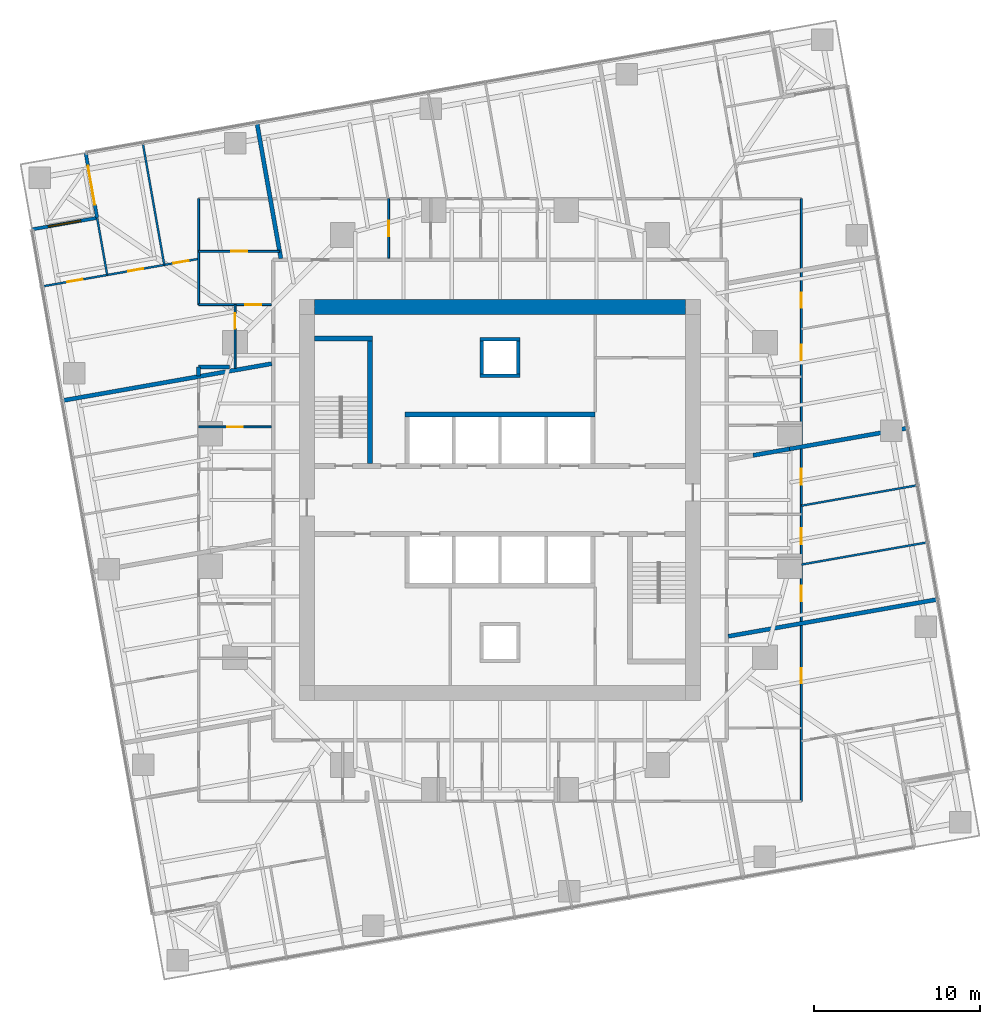
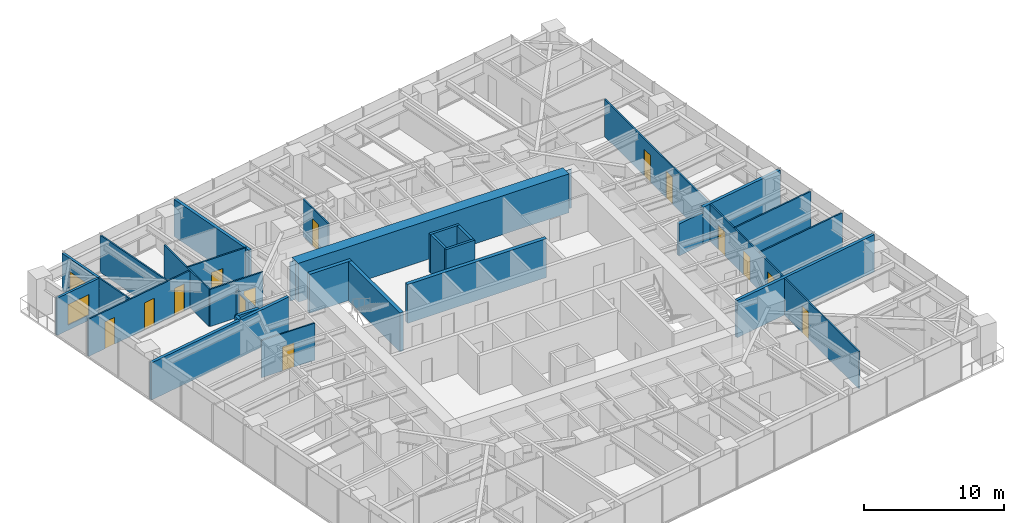
# One storey, part 11 of 14: 29 walls, 15 doors, 1 window, 16 openings.
"""IFC4 building model written with IfcOpenShell, lengths in metres."""

from ifc_helpers import new_model, si_unit, direction, frame, frame_2d, origin, place, context, subcontext, project, spatial, polyline, rectangle, outline, extrude, material, layer, layer_set, type_object, element, fill, save


model = new_model("IFC4")

# Units and contexts
model_context = context("Model", 3, precision=1e-05, world=origin(), true_north=direction((0.0, 1.0)))
body_context = subcontext(model_context, "Body", "Model", "MODEL_VIEW")
ifc_project = project(units=[si_unit("LENGTHUNIT", "METRE"), si_unit("AREAUNIT", "SQUARE_METRE"), si_unit("VOLUMEUNIT", "CUBIC_METRE"), si_unit("PLANEANGLEUNIT", "RADIAN"), si_unit("MASSUNIT", "GRAM", prefix="KILO")], contexts=[model_context])

# Site, building, storey
site_placement = place(None, origin())
site = spatial("IfcSite", under=ifc_project, at=site_placement, CompositionType="ELEMENT")
building_placement = place(site_placement, origin())
building = spatial("IfcBuilding", under=site, at=building_placement, Name="Torsade Residences", CompositionType="ELEMENT")
storey_placement = place(building_placement, frame((0.0, 0.0, 99.800048828125)))
storey = spatial("IfcBuildingStorey", under=building, at=storey_placement, Name="L27", CompositionType="ELEMENT", Elevation=99.800048828125)

# Walls
ifc_material_1 = material(Name="Concrete 80 MPa", Category="concrete")
ifc_layer_1 = layer(ifc_material_1, 0.300048828125)
ifc_layer_set_1 = layer_set([ifc_layer_1], Name="Concrete 80 MPa")
wall_type_1 = type_object("IfcWallType", Name="CORE INTERNAL WALL 300", PredefinedType="SHEAR", material=ifc_layer_set_1)
wall_1_placement = place(storey_placement, frame((34.25, 35.14990234375, 0.0), z_axis=(0.0, 0.0, 1.0), x_axis=(1.0, 0.0, 0.0)))
element("IfcWall", 1, at=wall_1_placement, inside=storey, type_object=wall_type_1, Name="Core wall BN L27", PredefinedType="SHEAR", context=body_context, shape_type="SweptSolid", body=[
    extrude(rectangle(XDim=11.5, YDim=0.300048828125, at=frame_2d((5.75, 0.0))), origin(), (0.0, 0.0, 1.0), 3.39990234375),
])
wall_2_placement = place(storey_placement, frame((32.14990234375, 32.199951171875, 0.0), z_axis=(0.0, 0.0, 1.0), x_axis=(0.0, 1.0, 0.0)))
element("IfcWall", 2, at=wall_2_placement, inside=storey, type_object=wall_type_1, Name="Core wall ST1E L27", PredefinedType="SHEAR", context=body_context, shape_type="SweptSolid", body=[
    extrude(rectangle(XDim=7.699951171875, YDim=0.300048828125, at=frame_2d((3.85009765625, 0.0))), origin(), (0.0, 0.0, 1.0), 3.39990234375),
])
wall_3_placement = place(storey_placement, frame((28.800048828125, 39.75, 0.0), z_axis=(0.0, 0.0, 1.0), x_axis=(1.0, 0.0, 0.0)))
element("IfcWall", 3, at=wall_3_placement, inside=storey, type_object=wall_type_1, Name="Core wall ST1N L27", PredefinedType="SHEAR", context=body_context, shape_type="SweptSolid", body=[
    extrude(rectangle(XDim=3.5, YDim=0.300048828125, at=frame_2d((1.75, 0.0))), origin(), (0.0, 0.0, 1.0), 3.39990234375),
])
ifc_material_2 = material(Name="Concrete 80 MPa", Category="concrete")
ifc_layer_2 = layer(ifc_material_2, 0.89990234375)
ifc_layer_set_2 = layer_set([ifc_layer_2], Name="Concrete 80 MPa")
wall_type_2 = type_object("IfcWallType", Name="CORE WALL 900", PredefinedType="SHEAR", material=ifc_layer_set_2)
wall_4_placement = place(storey_placement, frame((28.800048828125, 41.64990234375, 0.0), z_axis=(0.0, 0.0, 1.0), x_axis=(1.0, 0.0, 0.0)))
element("IfcWall", 4, at=wall_4_placement, inside=storey, type_object=wall_type_2, Name="Core wall N L27", PredefinedType="SHEAR", context=body_context, shape_type="SweptSolid", body=[
    extrude(outline(polyline([(0.0, -0.449951171875), (22.39990234375, -0.449951171875), (22.39990234375, -0.02490234375), (22.849853515625, -0.02490234375), (22.849853515625, 0.02490234375), (22.39990234375, 0.02490234375), (22.39990234375, 0.449951171875), (0.0, 0.449951171875), (0.0, 0.02490234375), (-0.449951171875, 0.02490234375), (-0.449951171875, -0.02490234375), (0.0, -0.02490234375), (0.0, -0.449951171875)])), origin(), (0.0, 0.0, 1.0), 3.39990234375),
])

# Wall, openings, doors
ifc_material_3 = material(Name="Plasterboard on steel stud", Category="steel")
ifc_layer_3 = layer(ifc_material_3, 0.1201171875)
ifc_layer_set_3 = layer_set([ifc_layer_3], Name="Plasterboard on steel stud")
wall_type_3 = type_object("IfcWallType", Name="PARTITION 120", PredefinedType="PARTITIONING", material=ifc_layer_set_3)
wall_5_placement = place(storey_placement, frame((58.199951171875, 48.199951171875, 0.0), z_axis=(0.0, 0.0, 1.0), x_axis=(0.0, -1.0, 0.0)))
wall_5 = element("IfcWall", 5, at=wall_5_placement, inside=storey, type_object=wall_type_3, Name="Partition L27", PredefinedType="PARTITIONING", context=body_context, shape_type="SweptSolid", body=[
    extrude(rectangle(XDim=36.39990234375, YDim=0.1201171875, at=frame_2d((18.199951171875, 0.0))), origin(), (0.0, 0.0, 1.0), 3.25),
])
opening_1_placement = place(wall_5_placement, frame((5.671142578125, 0.0, 0.0)))
opening_1 = element("IfcOpeningElement", 6, at=opening_1_placement, cuts=wall_5, Name="Opening D02", PredefinedType="OPENING", context=body_context, shape_type="SweptSolid", body=[
    extrude(rectangle(XDim=0.919921875, YDim=2.340087890625, at=frame_2d((0.4599609375, 1.169921875))), frame((0.0, 0.070068359375, 0.0), z_axis=(0.0, -1.0, 0.0), x_axis=(1.0, 0.0, 0.0)), (0.0, 0.0, 1.0), 0.14013671875),
])
opening_2_placement = place(wall_5_placement, frame((8.829833984375, 0.0, 0.0)))
opening_2 = element("IfcOpeningElement", 7, at=opening_2_placement, cuts=wall_5, Name="Opening D02", PredefinedType="OPENING", context=body_context, shape_type="SweptSolid", body=[
    extrude(rectangle(XDim=0.919921875, YDim=2.340087890625, at=frame_2d((0.4599609375, 1.169921875))), frame((0.0, 0.070068359375, 0.0), z_axis=(0.0, -1.0, 0.0), x_axis=(1.0, 0.0, 0.0)), (0.0, 0.0, 1.0), 0.14013671875),
])
opening_3_placement = place(wall_5_placement, frame((28.350341796875, 0.0, 0.0)))
opening_3 = element("IfcOpeningElement", 8, at=opening_3_placement, cuts=wall_5, Name="Opening D02", PredefinedType="OPENING", context=body_context, shape_type="SweptSolid", body=[
    extrude(rectangle(XDim=0.919921875, YDim=2.340087890625, at=frame_2d((0.4599609375, 1.169921875))), frame((0.0, 0.070068359375, 0.0), z_axis=(0.0, -1.0, 0.0), x_axis=(1.0, 0.0, 0.0)), (0.0, 0.0, 1.0), 0.14013671875),
])
opening_4_placement = place(wall_5_placement, frame((23.390380859375, 0.0, 0.0)))
opening_4 = element("IfcOpeningElement", 9, at=opening_4_placement, cuts=wall_5, Name="Opening D02", PredefinedType="OPENING", context=body_context, shape_type="SweptSolid", body=[
    extrude(rectangle(XDim=0.919921875, YDim=2.340087890625, at=frame_2d((0.4599609375, 1.169921875))), frame((0.0, 0.070068359375, 0.0), z_axis=(0.0, -1.0, 0.0), x_axis=(1.0, 0.0, 0.0)), (0.0, 0.0, 1.0), 0.14013671875),
])
opening_5_placement = place(wall_5_placement, frame((19.91845703125, 0.0, 0.0)))
opening_5 = element("IfcOpeningElement", 10, at=opening_5_placement, cuts=wall_5, Name="Opening D05", PredefinedType="OPENING", context=body_context, shape_type="SweptSolid", body=[
    extrude(rectangle(XDim=0.9599609375, YDim=2.10009765625, at=frame_2d((0.47998046875, 1.050048828125))), frame((0.0, 0.070068359375, 0.0), z_axis=(0.0, -1.0, 0.0), x_axis=(1.0, 0.0, 0.0)), (0.0, 0.0, 1.0), 0.14013671875),
])
opening_6_placement = place(wall_5_placement, frame((16.313232421875, 0.0, 0.0)))
opening_6 = element("IfcOpeningElement", 11, at=opening_6_placement, cuts=wall_5, Name="Opening D05", PredefinedType="OPENING", context=body_context, shape_type="SweptSolid", body=[
    extrude(rectangle(XDim=0.9599609375, YDim=2.10009765625, at=frame_2d((0.47998046875, 1.050048828125))), frame((0.0, 0.070068359375, 0.0), z_axis=(0.0, -1.0, 0.0), x_axis=(1.0, 0.0, 0.0)), (0.0, 0.0, 1.0), 0.14013671875),
])
ifc_material_4 = material(Name="Hollow-core timber door in a steel cavity frame", Category="steel")
door_type_1 = type_object("IfcDoorType", Name="BATHROOM CAVITY SLIDING DOOR 960", OperationType="SLIDING_TO_LEFT", PredefinedType="DOOR", material=ifc_material_4)
door_1_placement = place(opening_5_placement, origin())
door_1 = element("IfcDoor", 12, at=door_1_placement, inside=storey, type_object=door_type_1, Name="Door Ensuite to Bedroom 1", OperationType="SLIDING_TO_LEFT", OverallHeight=2.10009765625, OverallWidth=0.9599609375, PredefinedType="DOOR", context=body_context, shape_type="SweptSolid", body=[
    extrude(rectangle(XDim=0.9599609375, YDim=2.10009765625, at=frame_2d((0.47998046875, 1.050048828125))), frame((0.0, 0.02490234375, 0.0), z_axis=(0.0, -1.0, 0.0), x_axis=(1.0, 0.0, 0.0)), (0.0, 0.0, 1.0), 0.050048828125),
])
fill(opening_5, door_1)
door_2_placement = place(opening_6_placement, origin())
door_2 = element("IfcDoor", 13, at=door_2_placement, inside=storey, type_object=door_type_1, Name="Door Bathroom to Bedroom 2", OperationType="SLIDING_TO_LEFT", OverallHeight=2.10009765625, OverallWidth=0.9599609375, PredefinedType="DOOR", context=body_context, shape_type="SweptSolid", body=[
    extrude(rectangle(XDim=0.9599609375, YDim=2.10009765625, at=frame_2d((0.47998046875, 1.050048828125))), frame((0.0, 0.02490234375, 0.0), z_axis=(0.0, -1.0, 0.0), x_axis=(1.0, 0.0, 0.0)), (0.0, 0.0, 1.0), 0.050048828125),
])
fill(opening_6, door_2)
ifc_material_5 = material(Name="Hollow-core timber door", Category="wood")
door_type_2 = type_object("IfcDoorType", Name="INTERNAL DOOR 920x2340", OperationType="NOTDEFINED", PredefinedType="DOOR", material=ifc_material_5)
door_3_placement = place(opening_1_placement, origin())
door_3 = element("IfcDoor", 14, at=door_3_placement, inside=storey, type_object=door_type_2, Name="Door Kitchen and dining to Bedroom 1", OperationType="SINGLE_SWING_RIGHT", OverallHeight=2.340087890625, OverallWidth=0.919921875, PredefinedType="DOOR", context=body_context, shape_type="SweptSolid", body=[
    extrude(rectangle(XDim=0.919921875, YDim=2.340087890625, at=frame_2d((0.4599609375, 1.169921875))), frame((0.0, 0.02490234375, 0.0), z_axis=(0.0, -1.0, 0.0), x_axis=(1.0, 0.0, 0.0)), (0.0, 0.0, 1.0), 0.050048828125),
])
fill(opening_1, door_3)
door_4_placement = place(opening_2_placement, origin())
door_4 = element("IfcDoor", 15, at=door_4_placement, inside=storey, type_object=door_type_2, Name="Door Kitchen and dining to Living room", OperationType="SINGLE_SWING_LEFT", OverallHeight=2.340087890625, OverallWidth=0.919921875, PredefinedType="DOOR", context=body_context, shape_type="SweptSolid", body=[
    extrude(rectangle(XDim=0.919921875, YDim=2.340087890625, at=frame_2d((0.4599609375, 1.169921875))), frame((0.0, 0.02490234375, 0.0), z_axis=(0.0, -1.0, 0.0), x_axis=(1.0, 0.0, 0.0)), (0.0, 0.0, 1.0), 0.050048828125),
])
fill(opening_2, door_4)
door_5_placement = place(opening_3_placement, origin())
door_5 = element("IfcDoor", 16, at=door_5_placement, inside=storey, type_object=door_type_2, Name="Door Kitchen and dining to Living room", OperationType="SINGLE_SWING_LEFT", OverallHeight=2.340087890625, OverallWidth=0.919921875, PredefinedType="DOOR", context=body_context, shape_type="SweptSolid", body=[
    extrude(rectangle(XDim=0.919921875, YDim=2.340087890625, at=frame_2d((0.4599609375, 1.169921875))), frame((0.0, 0.02490234375, 0.0), z_axis=(0.0, -1.0, 0.0), x_axis=(1.0, 0.0, 0.0)), (0.0, 0.0, 1.0), 0.050048828125),
])
fill(opening_3, door_5)
door_6_placement = place(opening_4_placement, origin())
door_6 = element("IfcDoor", 17, at=door_6_placement, inside=storey, type_object=door_type_2, Name="Door Kitchen and dining to Living room", OperationType="SINGLE_SWING_RIGHT", OverallHeight=2.340087890625, OverallWidth=0.919921875, PredefinedType="DOOR", context=body_context, shape_type="SweptSolid", body=[
    extrude(rectangle(XDim=0.919921875, YDim=2.340087890625, at=frame_2d((0.4599609375, 1.169921875))), frame((0.0, 0.02490234375, 0.0), z_axis=(0.0, -1.0, 0.0), x_axis=(1.0, 0.0, 0.0)), (0.0, 0.0, 1.0), 0.050048828125),
])
fill(opening_4, door_6)

# Walls
wall_6_placement = place(storey_placement, frame((58.199951171875, 26.10107421875, 0.0), z_axis=(0.0, 0.0, 1.0), x_axis=(0.984804581119, 0.173666165406, 0.0)))
element("IfcWall", 18, at=wall_6_placement, inside=storey, type_object=wall_type_3, Name="Partition L27", PredefinedType="PARTITIONING", context=body_context, shape_type="SweptSolid", body=[
    extrude(rectangle(XDim=7.713623046875, YDim=0.1201171875, at=frame_2d((3.85693359375, 0.0))), origin(), (0.0, 0.0, 1.0), 3.25),
])
wall_7_placement = place(storey_placement, frame((58.199951171875, 29.6552734375, 0.0), z_axis=(0.0, 0.0, 1.0), x_axis=(0.984809869921, 0.17363617165, 0.0)))
element("IfcWall", 19, at=wall_7_placement, inside=storey, type_object=wall_type_3, Name="Partition L27", PredefinedType="PARTITIONING", context=body_context, shape_type="SweptSolid", body=[
    extrude(rectangle(XDim=7.096435546875, YDim=0.1201171875, at=frame_2d((3.54833984375, 0.0))), origin(), (0.0, 0.0, 1.0), 3.25),
])

# Wall, opening, door
wall_8_placement = place(storey_placement, frame((33.2734375, 48.199951171875, 0.0), z_axis=(0.0, 0.0, 1.0), x_axis=(0.0, -1.0, 0.0)))
wall_8 = element("IfcWall", 20, at=wall_8_placement, inside=storey, type_object=wall_type_3, Name="Partition L27", PredefinedType="PARTITIONING", context=body_context, shape_type="SweptSolid", body=[
    extrude(rectangle(XDim=3.599853515625, YDim=0.1201171875, at=frame_2d((1.7998046875, 0.0))), origin(), (0.0, 0.0, 1.0), 3.25),
])
opening_7_placement = place(wall_8_placement, frame((1.340087890625, 0.0, 0.0)))
opening_7 = element("IfcOpeningElement", 21, at=opening_7_placement, cuts=wall_8, Name="Opening D02", PredefinedType="OPENING", context=body_context, shape_type="SweptSolid", body=[
    extrude(rectangle(XDim=0.919921875, YDim=2.340087890625, at=frame_2d((0.4599609375, 1.169921875))), frame((0.0, 0.070068359375, 0.0), z_axis=(0.0, -1.0, 0.0), x_axis=(1.0, 0.0, 0.0)), (0.0, 0.0, 1.0), 0.14013671875),
])
door_7_placement = place(opening_7_placement, origin())
door_7 = element("IfcDoor", 22, at=door_7_placement, inside=storey, type_object=door_type_2, Name="Door Kitchen and dining to Study", OperationType="SINGLE_SWING_LEFT", OverallHeight=2.340087890625, OverallWidth=0.919921875, PredefinedType="DOOR", context=body_context, shape_type="SweptSolid", body=[
    extrude(rectangle(XDim=0.919921875, YDim=2.340087890625, at=frame_2d((0.4599609375, 1.169921875))), frame((0.0, 0.02490234375, 0.0), z_axis=(0.0, -1.0, 0.0), x_axis=(1.0, 0.0, 0.0)), (0.0, 0.0, 1.0), 0.050048828125),
])
fill(opening_7, door_7)

wall_9_placement = place(storey_placement, frame((21.800048828125, 41.794677734375, 0.0), z_axis=(0.0, 0.0, 1.0), x_axis=(1.0, 0.0, 0.0)))
wall_9 = element("IfcWall", 23, at=wall_9_placement, inside=storey, type_object=wall_type_3, Name="Partition L27", PredefinedType="PARTITIONING", context=body_context, shape_type="SweptSolid", body=[
    extrude(rectangle(XDim=4.39990234375, YDim=0.1201171875, at=frame_2d((2.199951171875, 0.0))), origin(), (0.0, 0.0, 1.0), 3.25),
])
opening_8_placement = place(wall_9_placement, frame((2.820068359375, 0.0, 0.0)))
opening_8 = element("IfcOpeningElement", 24, at=opening_8_placement, cuts=wall_9, Name="Opening D05", PredefinedType="OPENING", context=body_context, shape_type="SweptSolid", body=[
    extrude(rectangle(XDim=0.9599609375, YDim=2.10009765625, at=frame_2d((0.47998046875, 1.050048828125))), frame((0.0, 0.070068359375, 0.0), z_axis=(0.0, -1.0, 0.0), x_axis=(1.0, 0.0, 0.0)), (0.0, 0.0, 1.0), 0.14013671875),
])
door_8_placement = place(opening_8_placement, origin())
door_8 = element("IfcDoor", 25, at=door_8_placement, inside=storey, type_object=door_type_1, Name="Door Kitchen and dining to Bathroom", OperationType="SLIDING_TO_LEFT", OverallHeight=2.10009765625, OverallWidth=0.9599609375, PredefinedType="DOOR", context=body_context, shape_type="SweptSolid", body=[
    extrude(rectangle(XDim=0.9599609375, YDim=2.10009765625, at=frame_2d((0.47998046875, 1.050048828125))), frame((0.0, 0.02490234375, 0.0), z_axis=(0.0, -1.0, 0.0), x_axis=(1.0, 0.0, 0.0)), (0.0, 0.0, 1.0), 0.050048828125),
])
fill(opening_8, door_8)

wall_10_placement = place(storey_placement, frame((24.0, 37.94775390625, 0.0), z_axis=(0.0, 0.0, 1.0), x_axis=(0.0, 1.0, 0.0)))
wall_10 = element("IfcWall", 26, at=wall_10_placement, inside=storey, type_object=wall_type_3, Name="Partition L27", PredefinedType="PARTITIONING", context=body_context, shape_type="SweptSolid", body=[
    extrude(rectangle(XDim=3.846923828125, YDim=0.1201171875, at=frame_2d((1.92333984375, 0.0))), origin(), (0.0, 0.0, 1.0), 2.550048828125),
])
opening_9_placement = place(wall_10_placement, frame((2.40185546875, 0.0, 0.0)))
opening_9 = element("IfcOpeningElement", 27, at=opening_9_placement, cuts=wall_10, Name="Opening D02", PredefinedType="OPENING", context=body_context, shape_type="SweptSolid", body=[
    extrude(rectangle(XDim=0.919921875, YDim=2.340087890625, at=frame_2d((0.4599609375, 1.169921875))), frame((0.0, 0.070068359375, 0.0), z_axis=(0.0, -1.0, 0.0), x_axis=(1.0, 0.0, 0.0)), (0.0, 0.0, 1.0), 0.14013671875),
])
door_9_placement = place(opening_9_placement, origin())
door_9 = element("IfcDoor", 28, at=door_9_placement, inside=storey, type_object=door_type_2, Name="Door Kitchen and dining to Living room", OperationType="SINGLE_SWING_LEFT", OverallHeight=2.340087890625, OverallWidth=0.919921875, PredefinedType="DOOR", context=body_context, shape_type="SweptSolid", body=[
    extrude(rectangle(XDim=0.919921875, YDim=2.340087890625, at=frame_2d((0.4599609375, 1.169921875))), frame((0.0, 0.02490234375, 0.0), z_axis=(0.0, -1.0, 0.0), x_axis=(1.0, 0.0, 0.0)), (0.0, 0.0, 1.0), 0.050048828125),
])
fill(opening_9, door_9)

wall_11_placement = place(storey_placement, frame((21.800048828125, 45.0166015625, 0.0), z_axis=(0.0, 0.0, 1.0), x_axis=(1.0, 0.0, 0.0)))
wall_11 = element("IfcWall", 29, at=wall_11_placement, inside=storey, type_object=wall_type_3, Name="Partition L27", PredefinedType="PARTITIONING", context=body_context, shape_type="SweptSolid", body=[
    extrude(rectangle(XDim=4.89013671875, YDim=0.1201171875, at=frame_2d((2.445068359375, 0.0))), origin(), (0.0, 0.0, 1.0), 3.25),
])
opening_10_placement = place(wall_11_placement, frame((1.965087890625, 0.0, 0.0)))
opening_10 = element("IfcOpeningElement", 30, at=opening_10_placement, cuts=wall_11, Name="Opening D05", PredefinedType="OPENING", context=body_context, shape_type="SweptSolid", body=[
    extrude(rectangle(XDim=0.9599609375, YDim=2.10009765625, at=frame_2d((0.47998046875, 1.050048828125))), frame((0.0, 0.070068359375, 0.0), z_axis=(0.0, -1.0, 0.0), x_axis=(1.0, 0.0, 0.0)), (0.0, 0.0, 1.0), 0.14013671875),
])
door_10_placement = place(opening_10_placement, origin())
door_10 = element("IfcDoor", 31, at=door_10_placement, inside=storey, type_object=door_type_1, Name="Door Bathroom to Dressing room", OperationType="SLIDING_TO_LEFT", OverallHeight=2.10009765625, OverallWidth=0.9599609375, PredefinedType="DOOR", context=body_context, shape_type="SweptSolid", body=[
    extrude(rectangle(XDim=0.9599609375, YDim=2.10009765625, at=frame_2d((0.47998046875, 1.050048828125))), frame((0.0, 0.02490234375, 0.0), z_axis=(0.0, -1.0, 0.0), x_axis=(1.0, 0.0, 0.0)), (0.0, 0.0, 1.0), 0.050048828125),
])
fill(opening_10, door_10)

# Wall
wall_12_placement = place(storey_placement, frame((21.800048828125, 41.794677734375, 0.0), z_axis=(0.0, 0.0, 1.0), x_axis=(0.0, 1.0, 0.0)))
element("IfcWall", 32, at=wall_12_placement, inside=storey, type_object=wall_type_3, Name="Partition L27", PredefinedType="PARTITIONING", context=body_context, shape_type="SweptSolid", body=[
    extrude(rectangle(XDim=6.4052734375, YDim=0.1201171875, at=frame_2d((3.20263671875, 0.0))), origin(), (0.0, 0.0, 1.0), 3.25),
])

# Wall, openings, doors
wall_13_placement = place(storey_placement, frame((12.38037109375, 42.89990234375, 0.0), z_axis=(0.0, 0.0, 1.0), x_axis=(0.984808730291, 0.173642635155, 0.0)))
wall_13 = element("IfcWall", 33, at=wall_13_placement, inside=storey, type_object=wall_type_3, Name="Partition L27", PredefinedType="PARTITIONING", context=body_context, shape_type="SweptSolid", body=[
    extrude(rectangle(XDim=9.56494140625, YDim=0.1201171875, at=frame_2d((4.782470703125, 0.0))), origin(), (0.0, 0.0, 1.0), 3.25),
])
opening_11_placement = place(wall_13_placement, frame((1.525146484375, 0.0, 0.0)))
opening_11 = element("IfcOpeningElement", 34, at=opening_11_placement, cuts=wall_13, Name="Opening D02", PredefinedType="OPENING", context=body_context, shape_type="SweptSolid", body=[
    extrude(rectangle(XDim=0.919921875, YDim=2.340087890625, at=frame_2d((0.4599609375, 1.169921875))), frame((0.0, 0.070068359375, 0.0), z_axis=(0.0, -1.0, 0.0), x_axis=(1.0, 0.0, 0.0)), (0.0, 0.0, 1.0), 0.14013671875),
])
opening_12_placement = place(wall_13_placement, frame((5.25, 0.0, 0.0)))
opening_12 = element("IfcOpeningElement", 35, at=opening_12_placement, cuts=wall_13, Name="Opening D02", PredefinedType="OPENING", context=body_context, shape_type="SweptSolid", body=[
    extrude(rectangle(XDim=0.919921875, YDim=2.340087890625, at=frame_2d((0.4599609375, 1.169921875))), frame((0.0, 0.070068359375, 0.0), z_axis=(0.0, -1.0, 0.0), x_axis=(1.0, 0.0, 0.0)), (0.0, 0.0, 1.0), 0.14013671875),
])
opening_13_placement = place(wall_13_placement, frame((8.027587890625, 0.0, 0.0)))
opening_13 = element("IfcOpeningElement", 36, at=opening_13_placement, cuts=wall_13, Name="Opening D02", PredefinedType="OPENING", context=body_context, shape_type="SweptSolid", body=[
    extrude(rectangle(XDim=0.919921875, YDim=2.340087890625, at=frame_2d((0.4599609375, 1.169921875))), frame((0.0, 0.070068359375, 0.0), z_axis=(0.0, -1.0, 0.0), x_axis=(1.0, 0.0, 0.0)), (0.0, 0.0, 1.0), 0.14013671875),
])
door_11_placement = place(opening_11_placement, origin())
door_11 = element("IfcDoor", 37, at=door_11_placement, inside=storey, type_object=door_type_2, Name="Door Living room to Study", OperationType="SINGLE_SWING_RIGHT", OverallHeight=2.340087890625, OverallWidth=0.919921875, PredefinedType="DOOR", context=body_context, shape_type="SweptSolid", body=[
    extrude(rectangle(XDim=0.919921875, YDim=2.340087890625, at=frame_2d((0.4599609375, 1.169921875))), frame((0.0, 0.02490234375, 0.0), z_axis=(0.0, -1.0, 0.0), x_axis=(1.0, 0.0, 0.0)), (0.0, 0.0, 1.0), 0.050048828125),
])
fill(opening_11, door_11)
door_12_placement = place(opening_12_placement, origin())
door_12 = element("IfcDoor", 38, at=door_12_placement, inside=storey, type_object=door_type_2, Name="Door Living room to Bedroom 2", OperationType="SINGLE_SWING_LEFT", OverallHeight=2.340087890625, OverallWidth=0.919921875, PredefinedType="DOOR", context=body_context, shape_type="SweptSolid", body=[
    extrude(rectangle(XDim=0.919921875, YDim=2.340087890625, at=frame_2d((0.4599609375, 1.169921875))), frame((0.0, 0.02490234375, 0.0), z_axis=(0.0, -1.0, 0.0), x_axis=(1.0, 0.0, 0.0)), (0.0, 0.0, 1.0), 0.050048828125),
])
fill(opening_12, door_12)
door_13_placement = place(opening_13_placement, origin())
door_13 = element("IfcDoor", 39, at=door_13_placement, inside=storey, type_object=door_type_2, Name="Door Living room to Bedroom 1", OperationType="SINGLE_SWING_LEFT", OverallHeight=2.340087890625, OverallWidth=0.919921875, PredefinedType="DOOR", context=body_context, shape_type="SweptSolid", body=[
    extrude(rectangle(XDim=0.919921875, YDim=2.340087890625, at=frame_2d((0.4599609375, 1.169921875))), frame((0.0, 0.02490234375, 0.0), z_axis=(0.0, -1.0, 0.0), x_axis=(1.0, 0.0, 0.0)), (0.0, 0.0, 1.0), 0.050048828125),
])
fill(opening_13, door_13)

# Walls
wall_14_placement = place(storey_placement, frame((19.72705078125, 44.1953125, 0.0), z_axis=(0.0, 0.0, 1.0), x_axis=(-0.173647177755, 0.984807929323, 0.0)))
element("IfcWall", 40, at=wall_14_placement, inside=storey, type_object=wall_type_3, Name="Partition L27", PredefinedType="PARTITIONING", context=body_context, shape_type="SweptSolid", body=[
    extrude(rectangle(XDim=7.4599609375, YDim=0.1201171875, at=frame_2d((3.72998046875, 0.0))), origin(), (0.0, 0.0, 1.0), 3.25),
])
wall_15_placement = place(storey_placement, frame((16.2802734375, 43.587646484375, 0.0), z_axis=(0.0, 0.0, 1.0), x_axis=(-0.173660541335, 0.984805572884, 0.0)))
element("IfcWall", 41, at=wall_15_placement, inside=storey, type_object=wall_type_3, Name="Partition L27", PredefinedType="PARTITIONING", context=body_context, shape_type="SweptSolid", body=[
    extrude(rectangle(XDim=3.459716796875, YDim=0.1201171875, at=frame_2d((1.72998046875, 0.0))), origin(), (0.0, 0.0, 1.0), 3.25),
])

# Wall, opening, door
wall_16_placement = place(storey_placement, frame((26.199951171875, 34.408935546875, 0.0), z_axis=(0.0, 0.0, 1.0), x_axis=(-1.0, 0.0, 0.0)))
wall_16 = element("IfcWall", 42, at=wall_16_placement, inside=storey, type_object=wall_type_3, Name="Partition L27", PredefinedType="PARTITIONING", context=body_context, shape_type="SweptSolid", body=[
    extrude(rectangle(XDim=4.39990234375, YDim=0.1201171875, at=frame_2d((2.199951171875, 0.0))), origin(), (0.0, 0.0, 1.0), 3.25),
])
opening_14_placement = place(wall_16_placement, frame((1.719970703125, 0.0, 0.0)))
opening_14 = element("IfcOpeningElement", 43, at=opening_14_placement, cuts=wall_16, Name="Opening D05", PredefinedType="OPENING", context=body_context, shape_type="SweptSolid", body=[
    extrude(rectangle(XDim=0.9599609375, YDim=2.10009765625, at=frame_2d((0.47998046875, 1.050048828125))), frame((0.0, 0.070068359375, 0.0), z_axis=(0.0, -1.0, 0.0), x_axis=(1.0, 0.0, 0.0)), (0.0, 0.0, 1.0), 0.14013671875),
])
door_14_placement = place(opening_14_placement, origin())
door_14 = element("IfcDoor", 44, at=door_14_placement, inside=storey, type_object=door_type_1, Name="Door Ensuite to Bathroom", OperationType="SLIDING_TO_LEFT", OverallHeight=2.10009765625, OverallWidth=0.9599609375, PredefinedType="DOOR", context=body_context, shape_type="SweptSolid", body=[
    extrude(rectangle(XDim=0.9599609375, YDim=2.10009765625, at=frame_2d((0.47998046875, 1.050048828125))), frame((0.0, 0.02490234375, 0.0), z_axis=(0.0, -1.0, 0.0), x_axis=(1.0, 0.0, 0.0)), (0.0, 0.0, 1.0), 0.050048828125),
])
fill(opening_14, door_14)

# Walls
ifc_material_6 = material(Name="Masonry-lined stud party wall", Category="masonry")
ifc_layer_4 = layer(ifc_material_6, 0.25)
ifc_layer_set_4 = layer_set([ifc_layer_4], Name="Masonry-lined stud party wall")
wall_type_4 = type_object("IfcWallType", Name="PARTY WALL 250", PredefinedType="PARTITIONING", material=ifc_layer_set_4)
wall_17_placement = place(storey_placement, frame((66.443603515625, 24.000732421875, 0.0), z_axis=(0.0, 0.0, 1.0), x_axis=(-0.984809355703, -0.173639088111, 0.0)))
element("IfcWall", 45, at=wall_17_placement, inside=storey, type_object=wall_type_4, Name="Party wall L27", PredefinedType="PARTITIONING", context=body_context, shape_type="SweptSolid", body=[
    extrude(rectangle(XDim=12.856689453125, YDim=0.25, at=frame_2d((6.42822265625, 0.0))), origin(), (0.0, 0.0, 1.0), 3.25),
])
wall_18_placement = place(storey_placement, frame((25.318359375, 52.796875, 0.0), z_axis=(0.0, 0.0, 1.0), x_axis=(0.173651756605, -0.984807121942, 0.0)))
element("IfcWall", 46, at=wall_18_placement, inside=storey, type_object=wall_type_4, Name="Party wall L27", PredefinedType="PARTITIONING", context=body_context, shape_type="SweptSolid", body=[
    extrude(rectangle(XDim=8.34130859375, YDim=0.25, at=frame_2d((4.170654296875, 0.0))), origin(), (0.0, 0.0, 1.0), 3.25),
])
wall_19_placement = place(storey_placement, frame((13.556396484375, 35.999267578125, 0.0), z_axis=(0.0, 0.0, 1.0), x_axis=(0.984809355703, 0.173639088111, 0.0)))
element("IfcWall", 47, at=wall_19_placement, inside=storey, type_object=wall_type_4, Name="Party wall L27", PredefinedType="PARTITIONING", context=body_context, shape_type="SweptSolid", body=[
    extrude(rectangle(XDim=12.856689453125, YDim=0.25, at=frame_2d((6.42822265625, 0.0))), origin(), (0.0, 0.0, 1.0), 3.25),
])
wall_20_placement = place(storey_placement, frame((64.6201171875, 34.34130859375, 0.0), z_axis=(0.0, 0.0, 1.0), x_axis=(-0.984802553948, -0.173677660443, 0.0)))
element("IfcWall", 48, at=wall_20_placement, inside=storey, type_object=wall_type_4, Name="Party wall L27", PredefinedType="PARTITIONING", context=body_context, shape_type="SweptSolid", body=[
    extrude(rectangle(XDim=7.24365234375, YDim=0.25, at=frame_2d((3.621826171875, 0.0))), origin(), (0.0, 0.0, 1.0), 3.25),
])
wall_21_placement = place(storey_placement, frame((57.486572265625, 33.083251953125, 0.0), z_axis=(0.0, 0.0, 1.0), x_axis=(-0.984809882944, -0.17363609779, 0.0)))
element("IfcWall", 49, at=wall_21_placement, inside=storey, type_object=wall_type_4, Name="Party wall L27", PredefinedType="PARTITIONING", context=body_context, shape_type="SweptSolid", body=[
    extrude(rectangle(XDim=2.23974609375, YDim=0.25, at=frame_2d((1.119873046875, 0.0))), origin(), (0.0, 0.0, 1.0), 2.794921875),
])
wall_22_placement = place(storey_placement, frame((21.800048828125, 37.47802734375, 0.0), z_axis=(0.0, 0.0, 1.0), x_axis=(0.0, 1.0, 0.0)))
element("IfcWall", 50, at=wall_22_placement, inside=storey, type_object=wall_type_4, Name="Party wall L27", PredefinedType="PARTITIONING", context=body_context, shape_type="SweptSolid", body=[
    extrude(rectangle(XDim=0.546630859375, YDim=0.25, at=frame_2d((0.2734375, 0.0))), origin(), (0.0, 0.0, 1.0), 3.25),
])
wall_23_placement = place(storey_placement, frame((21.800048828125, 38.024658203125, 0.0), z_axis=(0.0, 0.0, 1.0), x_axis=(1.0, 0.0, 0.0)))
element("IfcWall", 51, at=wall_23_placement, inside=storey, type_object=wall_type_4, Name="Party wall L27", PredefinedType="PARTITIONING", context=body_context, shape_type="SweptSolid", body=[
    extrude(rectangle(XDim=1.86083984375, YDim=0.25, at=frame_2d((0.930419921875, 0.0))), origin(), (0.0, 0.0, 1.0), 3.25),
])
ifc_material_7 = material(Name="Reinforced blockwork", Category="masonry")
ifc_layer_5 = layer(ifc_material_7, 0.199951171875)
ifc_layer_set_5 = layer_set([ifc_layer_5], Name="Reinforced blockwork")
wall_type_5 = type_object("IfcWallType", Name="RISER SHAFT WALL 200", PredefinedType="SOLIDWALL", material=ifc_layer_set_5)
for number, where, z_axis, x_axis, name in (
    (52, (38.89990234375, 37.60009765625, 0.0), (0.0, 0.0, 1.0), (0.0, 1.0, 0.0), "Core wall RS1a L27"),
    (53, (41.10009765625, 37.60009765625, 0.0), (0.0, 0.0, 1.0), (0.0, 1.0, 0.0), "Core wall RS1b L27"),
):
    element("IfcWall", number, at=place(storey_placement, frame(where, z_axis=z_axis, x_axis=x_axis)), inside=storey, type_object=wall_type_5, Name=name, PredefinedType="SOLIDWALL", context=body_context, shape_type="SweptSolid", body=[
        extrude(rectangle(XDim=2.0, YDim=0.199951171875, at=frame_2d((1.0, 0.0))), origin(), (0.0, 0.0, 1.0), 3.39990234375),
    ])
for number, where, z_axis, x_axis, name in (
    (54, (38.800048828125, 37.5, 0.0), (0.0, 0.0, 1.0), (1.0, 0.0, 0.0), "Core wall RS1c L27"),
    (55, (38.800048828125, 39.699951171875, 0.0), (0.0, 0.0, 1.0), (1.0, 0.0, 0.0), "Core wall RS1d L27"),
):
    element("IfcWall", number, at=place(storey_placement, frame(where, z_axis=z_axis, x_axis=x_axis)), inside=storey, type_object=wall_type_5, Name=name, PredefinedType="SOLIDWALL", context=body_context, shape_type="SweptSolid", body=[
        extrude(rectangle(XDim=2.39990234375, YDim=0.199951171875, at=frame_2d((1.199951171875, 0.0))), origin(), (0.0, 0.0, 1.0), 3.39990234375),
    ])

# Wall, opening, door
ifc_material_8 = material(Name="Stone-faced precast concrete 40 MPa panel", Category="masonry")
ifc_layer_6 = layer(ifc_material_8, 0.199951171875)
ifc_layer_set_6 = layer_set([ifc_layer_6], Name="Stone-faced precast concrete 40 MPa panel")
wall_type_6 = type_object("IfcWallType", Name="TERRACE WALL 200", PredefinedType="SOLIDWALL", material=ifc_layer_set_6)
wall_24_placement = place(storey_placement, frame((14.977783203125, 50.9736328125, 0.0), z_axis=(0.0, 0.0, 1.0), x_axis=(0.173646056486, -0.984808127031, 0.0)))
wall_24 = element("IfcWall", 56, at=wall_24_placement, inside=storey, type_object=wall_type_6, Name="Terrace wall L27 8", PredefinedType="SOLIDWALL", context=body_context, shape_type="SweptSolid", body=[
    extrude(rectangle(XDim=4.0, YDim=0.199951171875, at=frame_2d((2.0, 0.0))), origin(), (0.0, 0.0, 1.0), 3.25),
])
opening_15_placement = place(wall_24_placement, frame((0.800048828125, 0.0, 0.0)))
opening_15 = element("IfcOpeningElement", 57, at=opening_15_placement, cuts=wall_24, Name="Opening D10A", PredefinedType="OPENING", context=body_context, shape_type="SweptSolid", body=[
    extrude(rectangle(XDim=2.39990234375, YDim=2.10009765625, at=frame_2d((1.199951171875, 1.050048828125))), frame((0.0, 0.10986328125, 0.0), z_axis=(0.0, -1.0, 0.0), x_axis=(1.0, 0.0, 0.0)), (0.0, 0.0, 1.0), 0.219970703125),
])
ifc_material_9 = material(Name="Aluminium-framed glass door", Category="aluminium")
door_type_3 = type_object("IfcDoorType", Name="TERRACE SLIDING DOOR 2400x2100", OperationType="SLIDING_TO_LEFT", PredefinedType="DOOR", material=ifc_material_9)
door_15_placement = place(opening_15_placement, origin())
door_15 = element("IfcDoor", 58, at=door_15_placement, inside=storey, type_object=door_type_3, Name="Terrace door L27 8", OperationType="SLIDING_TO_LEFT", OverallHeight=2.10009765625, OverallWidth=2.39990234375, PredefinedType="DOOR", context=body_context, shape_type="SweptSolid", body=[
    extrude(rectangle(XDim=2.39990234375, YDim=2.10009765625, at=frame_2d((1.199951171875, 1.050048828125))), frame((0.0, 0.02490234375, 0.0), z_axis=(0.0, -1.0, 0.0), x_axis=(1.0, 0.0, 0.0)), (0.0, 0.0, 1.0), 0.050048828125),
])
fill(opening_15, door_15)

# Wall, opening, window
wall_25_placement = place(storey_placement, frame((15.67236328125, 47.034423828125, 0.0), z_axis=(0.0, 0.0, 1.0), x_axis=(-0.984808127031, -0.173646056486, 0.0)))
wall_25 = element("IfcWall", 59, at=wall_25_placement, inside=storey, type_object=wall_type_6, Name="Terrace wall L27 9", PredefinedType="SOLIDWALL", context=body_context, shape_type="SweptSolid", body=[
    extrude(rectangle(XDim=4.0, YDim=0.199951171875, at=frame_2d((2.0, 0.0))), origin(), (0.0, 0.0, 1.0), 3.25),
])
opening_16_placement = place(wall_25_placement, frame((1.0, 0.0, 0.449951171875)))
opening_16 = element("IfcOpeningElement", 60, at=opening_16_placement, cuts=wall_25, Name="Opening W1B", PredefinedType="OPENING", context=body_context, shape_type="SweptSolid", body=[
    extrude(rectangle(XDim=2.0, YDim=1.800048828125, at=frame_2d((1.0, 0.89990234375))), frame((0.0, 0.10986328125, 0.0), z_axis=(0.0, -1.0, 0.0), x_axis=(1.0, 0.0, 0.0)), (0.0, 0.0, 1.0), 0.219970703125),
])
ifc_material_10 = material(Name="Aluminium-framed glass window", Category="aluminium")
window_type = type_object("IfcWindowType", Name="TERRACE WINDOW 2000x1800", PartitioningType="SINGLE_PANEL", PredefinedType="WINDOW", material=ifc_material_10)
window_placement = place(opening_16_placement, origin())
window = element("IfcWindow", 61, at=window_placement, inside=storey, type_object=window_type, Name="Terrace window L27 9", OverallHeight=1.800048828125, OverallWidth=2.0, PartitioningType="SINGLE_PANEL", PredefinedType="WINDOW", context=body_context, shape_type="SweptSolid", body=[
    extrude(rectangle(XDim=2.0, YDim=1.800048828125, at=frame_2d((1.0, 0.89990234375))), frame((0.0, 0.030029296875, 0.0), z_axis=(0.0, -1.0, 0.0), x_axis=(1.0, 0.0, 0.0)), (0.0, 0.0, 1.0), 0.06005859375),
])
fill(opening_16, window)

save(model, "model.ifc")
